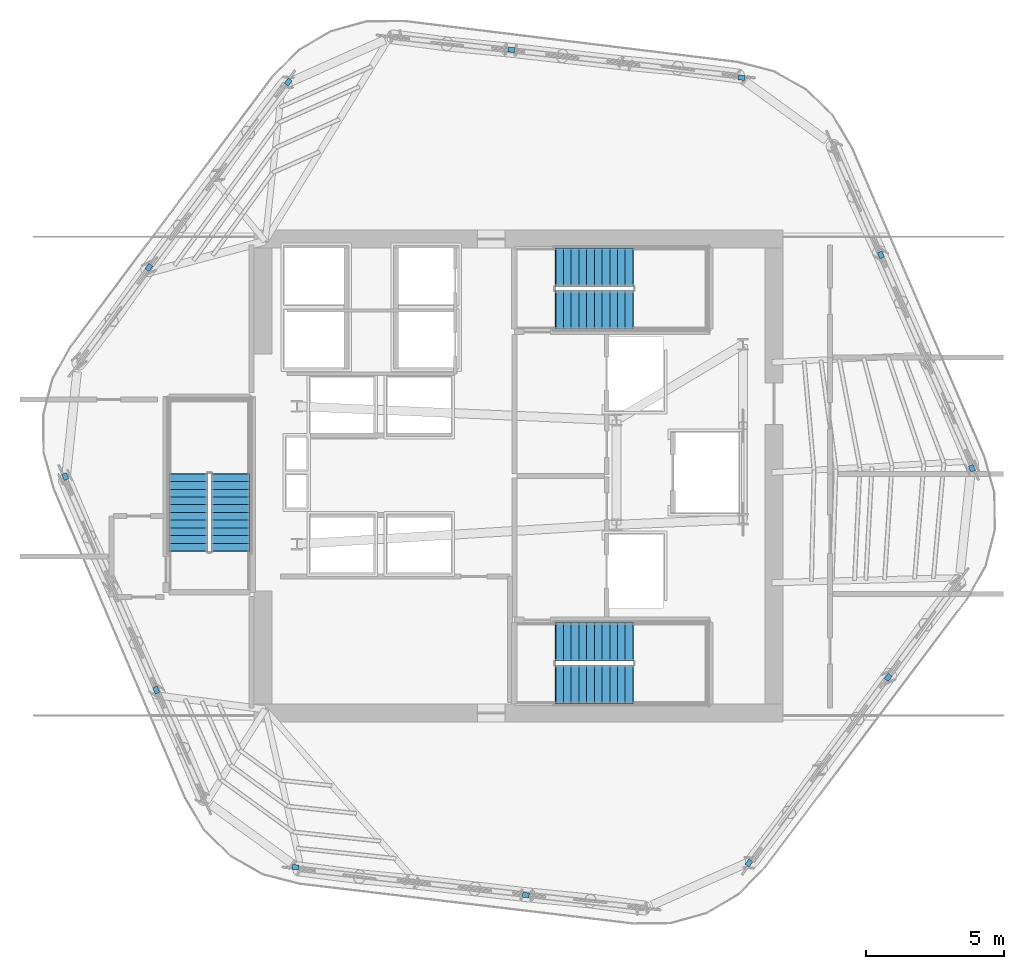
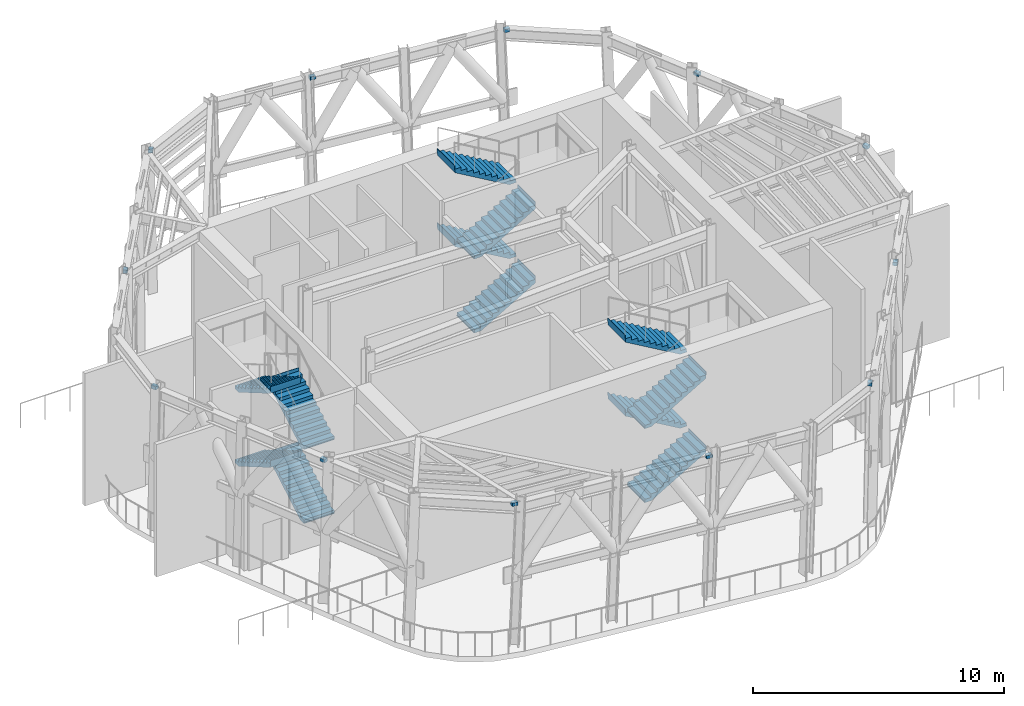
# One storey, part 6 of 10: 12 discrete accessories, 12 stair flights, 3 elements without a shape of their own.
"""IFC4 building model written with IfcOpenShell, lengths in metres."""

from ifc_helpers import new_model, si_unit, direction, frame, origin, origin_2d, place, context, subcontext, project, spatial, polyline, rectangle, outline, extrude, material, type_object, element, aggregate, save


model = new_model("IFC4")

# Units and contexts
model_context = context("Model", 3, precision=1e-05, world=origin(), true_north=direction((0.0, 1.0)))
body_context = subcontext(model_context, "Body", "Model", "MODEL_VIEW")
ifc_project = project(units=[si_unit("LENGTHUNIT", "METRE"), si_unit("AREAUNIT", "SQUARE_METRE"), si_unit("VOLUMEUNIT", "CUBIC_METRE"), si_unit("PLANEANGLEUNIT", "RADIAN"), si_unit("MASSUNIT", "GRAM", prefix="KILO")], contexts=[model_context])

# Site, building, storey
site_placement = place(None, origin())
site = spatial("IfcSite", under=ifc_project, at=site_placement, CompositionType="ELEMENT")
building_placement = place(site_placement, origin())
building = spatial("IfcBuilding", under=site, at=building_placement, Name="Valkerne Bourse Tower", CompositionType="ELEMENT")
storey_placement = place(building_placement, frame((0.0, 0.0, 251.199951171875)))
storey = spatial("IfcBuildingStorey", under=building, at=storey_placement, Name="L64", CompositionType="ELEMENT", Elevation=251.199951171875)

# Stair, stair flights
ifc_material_1 = material(Name="Concrete C40/50", Category="concrete")
stair_type = type_object("IfcStairType", Name="ST-CORE-1400", PredefinedType="HALF_TURN_STAIR", material=ifc_material_1)
stair_1_placement = place(storey_placement, origin())
stair_1 = element("IfcStair", 1, at=stair_1_placement, inside=storey, type_object=stair_type, Name="L64 ST-1", PredefinedType="HALF_TURN_STAIR")
stair_flight_type = type_object("IfcStairFlightType", Name="STF-CORE-1400", PredefinedType="STRAIGHT", material=ifc_material_1)
stair_flight_1_placement = place(storey_placement, frame((48.14990234375, 19.300048828125, 0.0), z_axis=(0.0, 0.0, 1.0), x_axis=(1.0, 0.0, 0.0)))
stair_flight_1 = element("IfcStairFlight", 2, at=stair_flight_1_placement, type_object=stair_flight_type, Name="ST-1 flight 1", NumberOfRisers=11, NumberOfTreads=10, PredefinedType="STRAIGHT", RiserHeight=0.163636364, TreadLength=0.28, context=body_context, shape_type="SweptSolid", body=[
    extrude(outline(polyline([(-0.02001953125, 0.0), (-0.02001953125, 0.044921875), (0.0, 0.044921875), (0.0, 0.16357421875), (0.280029296875, 0.16357421875), (0.280029296875, 0.327392578125), (0.56005859375, 0.327392578125), (0.56005859375, 0.490966796875), (0.840087890625, 0.490966796875), (0.840087890625, 0.654541015625), (1.1201171875, 0.654541015625), (1.1201171875, 0.818115234375), (1.39990234375, 0.818115234375), (1.39990234375, 0.98193359375), (1.679931640625, 0.98193359375), (1.679931640625, 1.1455078125), (1.9599609375, 1.1455078125), (1.9599609375, 1.30908203125), (2.239990234375, 1.30908203125), (2.239990234375, 1.47265625), (2.52001953125, 1.47265625), (2.52001953125, 1.636474609375), (2.800048828125, 1.636474609375), (2.800048828125, 1.800048828125), (2.820068359375, 1.800048828125), (2.820068359375, 1.679931640625), (2.800048828125, 1.462646484375), (0.297119140625, 0.0), (-0.02001953125, 0.0)])), frame((0.0, 0.699951171875, 0.0), z_axis=(0.0, -1.0, 0.0), x_axis=(1.0, 0.0, 0.0)), (0.0, 0.0, 1.0), 1.39990234375),
])
stair_flight_2_placement = place(storey_placement, frame((50.949951171875, 20.85009765625, 1.800048828125), z_axis=(0.0, 0.0, 1.0), x_axis=(-1.0, 0.0, 0.0)))
stair_flight_2 = element("IfcStairFlight", 3, at=stair_flight_2_placement, type_object=stair_flight_type, Name="ST-1 flight 2", NumberOfRisers=11, NumberOfTreads=10, PredefinedType="STRAIGHT", RiserHeight=0.163636364, TreadLength=0.28, context=body_context, shape_type="SweptSolid", body=[
    extrude(outline(polyline([(-0.02001953125, 0.0), (-0.02001953125, 0.044921875), (0.0, 0.044921875), (0.0, 0.16357421875), (0.280029296875, 0.16357421875), (0.280029296875, 0.327392578125), (0.56005859375, 0.327392578125), (0.56005859375, 0.490966796875), (0.840087890625, 0.490966796875), (0.840087890625, 0.654541015625), (1.1201171875, 0.654541015625), (1.1201171875, 0.818115234375), (1.39990234375, 0.818115234375), (1.39990234375, 0.98193359375), (1.679931640625, 0.98193359375), (1.679931640625, 1.1455078125), (1.9599609375, 1.1455078125), (1.9599609375, 1.30908203125), (2.239990234375, 1.30908203125), (2.239990234375, 1.47265625), (2.52001953125, 1.47265625), (2.52001953125, 1.636474609375), (2.800048828125, 1.636474609375), (2.800048828125, 1.800048828125), (2.820068359375, 1.800048828125), (2.820068359375, 1.679931640625), (2.800048828125, 1.462646484375), (0.297119140625, 0.0), (-0.02001953125, 0.0)])), frame((0.0, 0.699951171875, 0.0), z_axis=(0.0, -1.0, 0.0), x_axis=(1.0, 0.0, 0.0)), (0.0, 0.0, 1.0), 1.39990234375),
])
stair_flight_3_placement = place(storey_placement, frame((48.14990234375, 19.300048828125, 3.60009765625), z_axis=(0.0, 0.0, 1.0), x_axis=(1.0, 0.0, 0.0)))
stair_flight_3 = element("IfcStairFlight", 4, at=stair_flight_3_placement, type_object=stair_flight_type, Name="ST-1 flight 3", NumberOfRisers=11, NumberOfTreads=10, PredefinedType="STRAIGHT", RiserHeight=0.163636364, TreadLength=0.28, context=body_context, shape_type="SweptSolid", body=[
    extrude(outline(polyline([(-0.02001953125, 0.0), (-0.02001953125, 0.044921875), (0.0, 0.044921875), (0.0, 0.16357421875), (0.280029296875, 0.16357421875), (0.280029296875, 0.327392578125), (0.56005859375, 0.327392578125), (0.56005859375, 0.490966796875), (0.840087890625, 0.490966796875), (0.840087890625, 0.654541015625), (1.1201171875, 0.654541015625), (1.1201171875, 0.818115234375), (1.39990234375, 0.818115234375), (1.39990234375, 0.98193359375), (1.679931640625, 0.98193359375), (1.679931640625, 1.1455078125), (1.9599609375, 1.1455078125), (1.9599609375, 1.30908203125), (2.239990234375, 1.30908203125), (2.239990234375, 1.47265625), (2.52001953125, 1.47265625), (2.52001953125, 1.636474609375), (2.800048828125, 1.636474609375), (2.800048828125, 1.800048828125), (2.820068359375, 1.800048828125), (2.820068359375, 1.679931640625), (2.800048828125, 1.462646484375), (0.297119140625, 0.0), (-0.02001953125, 0.0)])), frame((0.0, 0.699951171875, 0.0), z_axis=(0.0, -1.0, 0.0), x_axis=(1.0, 0.0, 0.0)), (0.0, 0.0, 1.0), 1.39990234375),
])
stair_flight_4_placement = place(storey_placement, frame((50.949951171875, 20.85009765625, 5.400146484375), z_axis=(0.0, 0.0, 1.0), x_axis=(-1.0, 0.0, 0.0)))
stair_flight_4 = element("IfcStairFlight", 5, at=stair_flight_4_placement, type_object=stair_flight_type, Name="ST-1 flight 4", NumberOfRisers=11, NumberOfTreads=10, PredefinedType="STRAIGHT", RiserHeight=0.163636364, TreadLength=0.28, context=body_context, shape_type="SweptSolid", body=[
    extrude(outline(polyline([(-0.02001953125, 0.0), (-0.02001953125, 0.044921875), (0.0, 0.044921875), (0.0, 0.16357421875), (0.280029296875, 0.16357421875), (0.280029296875, 0.327392578125), (0.56005859375, 0.327392578125), (0.56005859375, 0.490966796875), (0.840087890625, 0.490966796875), (0.840087890625, 0.654541015625), (1.1201171875, 0.654541015625), (1.1201171875, 0.818115234375), (1.39990234375, 0.818115234375), (1.39990234375, 0.98193359375), (1.679931640625, 0.98193359375), (1.679931640625, 1.1455078125), (1.9599609375, 1.1455078125), (1.9599609375, 1.30908203125), (2.239990234375, 1.30908203125), (2.239990234375, 1.47265625), (2.52001953125, 1.47265625), (2.52001953125, 1.636474609375), (2.800048828125, 1.636474609375), (2.800048828125, 1.800048828125), (2.820068359375, 1.800048828125), (2.820068359375, 1.679931640625), (2.800048828125, 1.462646484375), (0.297119140625, 0.0), (-0.02001953125, 0.0)])), frame((0.0, 0.699951171875, 0.0), z_axis=(0.0, -1.0, 0.0), x_axis=(1.0, 0.0, 0.0)), (0.0, 0.0, 1.0), 1.39990234375),
])
aggregate(stair_1, [stair_flight_1, stair_flight_2, stair_flight_3, stair_flight_4])

stair_2_placement = place(storey_placement, origin())
stair_2 = element("IfcStair", 6, at=stair_2_placement, inside=storey, type_object=stair_type, Name="L64 ST-2", PredefinedType="HALF_TURN_STAIR")
stair_flight_5_placement = place(storey_placement, frame((48.14990234375, 32.89990234375, 0.0), z_axis=(0.0, 0.0, 1.0), x_axis=(1.0, 0.0, 0.0)))
stair_flight_5 = element("IfcStairFlight", 7, at=stair_flight_5_placement, type_object=stair_flight_type, Name="ST-2 flight 1", NumberOfRisers=11, NumberOfTreads=10, PredefinedType="STRAIGHT", RiserHeight=0.163636364, TreadLength=0.28, context=body_context, shape_type="SweptSolid", body=[
    extrude(outline(polyline([(-0.02001953125, 0.0), (-0.02001953125, 0.044921875), (0.0, 0.044921875), (0.0, 0.16357421875), (0.280029296875, 0.16357421875), (0.280029296875, 0.327392578125), (0.56005859375, 0.327392578125), (0.56005859375, 0.490966796875), (0.840087890625, 0.490966796875), (0.840087890625, 0.654541015625), (1.1201171875, 0.654541015625), (1.1201171875, 0.818115234375), (1.39990234375, 0.818115234375), (1.39990234375, 0.98193359375), (1.679931640625, 0.98193359375), (1.679931640625, 1.1455078125), (1.9599609375, 1.1455078125), (1.9599609375, 1.30908203125), (2.239990234375, 1.30908203125), (2.239990234375, 1.47265625), (2.52001953125, 1.47265625), (2.52001953125, 1.636474609375), (2.800048828125, 1.636474609375), (2.800048828125, 1.800048828125), (2.820068359375, 1.800048828125), (2.820068359375, 1.679931640625), (2.800048828125, 1.462646484375), (0.297119140625, 0.0), (-0.02001953125, 0.0)])), frame((0.0, 0.699951171875, 0.0), z_axis=(0.0, -1.0, 0.0), x_axis=(1.0, 0.0, 0.0)), (0.0, 0.0, 1.0), 1.39990234375),
])
stair_flight_6_placement = place(storey_placement, frame((50.949951171875, 34.449951171875, 1.800048828125), z_axis=(0.0, 0.0, 1.0), x_axis=(-1.0, 0.0, 0.0)))
stair_flight_6 = element("IfcStairFlight", 8, at=stair_flight_6_placement, type_object=stair_flight_type, Name="ST-2 flight 2", NumberOfRisers=11, NumberOfTreads=10, PredefinedType="STRAIGHT", RiserHeight=0.163636364, TreadLength=0.28, context=body_context, shape_type="SweptSolid", body=[
    extrude(outline(polyline([(-0.02001953125, 0.0), (-0.02001953125, 0.044921875), (0.0, 0.044921875), (0.0, 0.16357421875), (0.280029296875, 0.16357421875), (0.280029296875, 0.327392578125), (0.56005859375, 0.327392578125), (0.56005859375, 0.490966796875), (0.840087890625, 0.490966796875), (0.840087890625, 0.654541015625), (1.1201171875, 0.654541015625), (1.1201171875, 0.818115234375), (1.39990234375, 0.818115234375), (1.39990234375, 0.98193359375), (1.679931640625, 0.98193359375), (1.679931640625, 1.1455078125), (1.9599609375, 1.1455078125), (1.9599609375, 1.30908203125), (2.239990234375, 1.30908203125), (2.239990234375, 1.47265625), (2.52001953125, 1.47265625), (2.52001953125, 1.636474609375), (2.800048828125, 1.636474609375), (2.800048828125, 1.800048828125), (2.820068359375, 1.800048828125), (2.820068359375, 1.679931640625), (2.800048828125, 1.462646484375), (0.297119140625, 0.0), (-0.02001953125, 0.0)])), frame((0.0, 0.699951171875, 0.0), z_axis=(0.0, -1.0, 0.0), x_axis=(1.0, 0.0, 0.0)), (0.0, 0.0, 1.0), 1.39990234375),
])
stair_flight_7_placement = place(storey_placement, frame((48.14990234375, 32.89990234375, 3.60009765625), z_axis=(0.0, 0.0, 1.0), x_axis=(1.0, 0.0, 0.0)))
stair_flight_7 = element("IfcStairFlight", 9, at=stair_flight_7_placement, type_object=stair_flight_type, Name="ST-2 flight 3", NumberOfRisers=11, NumberOfTreads=10, PredefinedType="STRAIGHT", RiserHeight=0.163636364, TreadLength=0.28, context=body_context, shape_type="SweptSolid", body=[
    extrude(outline(polyline([(-0.02001953125, 0.0), (-0.02001953125, 0.044921875), (0.0, 0.044921875), (0.0, 0.16357421875), (0.280029296875, 0.16357421875), (0.280029296875, 0.327392578125), (0.56005859375, 0.327392578125), (0.56005859375, 0.490966796875), (0.840087890625, 0.490966796875), (0.840087890625, 0.654541015625), (1.1201171875, 0.654541015625), (1.1201171875, 0.818115234375), (1.39990234375, 0.818115234375), (1.39990234375, 0.98193359375), (1.679931640625, 0.98193359375), (1.679931640625, 1.1455078125), (1.9599609375, 1.1455078125), (1.9599609375, 1.30908203125), (2.239990234375, 1.30908203125), (2.239990234375, 1.47265625), (2.52001953125, 1.47265625), (2.52001953125, 1.636474609375), (2.800048828125, 1.636474609375), (2.800048828125, 1.800048828125), (2.820068359375, 1.800048828125), (2.820068359375, 1.679931640625), (2.800048828125, 1.462646484375), (0.297119140625, 0.0), (-0.02001953125, 0.0)])), frame((0.0, 0.699951171875, 0.0), z_axis=(0.0, -1.0, 0.0), x_axis=(1.0, 0.0, 0.0)), (0.0, 0.0, 1.0), 1.39990234375),
])
stair_flight_8_placement = place(storey_placement, frame((50.949951171875, 34.449951171875, 5.400146484375), z_axis=(0.0, 0.0, 1.0), x_axis=(-1.0, 0.0, 0.0)))
stair_flight_8 = element("IfcStairFlight", 10, at=stair_flight_8_placement, type_object=stair_flight_type, Name="ST-2 flight 4", NumberOfRisers=11, NumberOfTreads=10, PredefinedType="STRAIGHT", RiserHeight=0.163636364, TreadLength=0.28, context=body_context, shape_type="SweptSolid", body=[
    extrude(outline(polyline([(-0.02001953125, 0.0), (-0.02001953125, 0.044921875), (0.0, 0.044921875), (0.0, 0.16357421875), (0.280029296875, 0.16357421875), (0.280029296875, 0.327392578125), (0.56005859375, 0.327392578125), (0.56005859375, 0.490966796875), (0.840087890625, 0.490966796875), (0.840087890625, 0.654541015625), (1.1201171875, 0.654541015625), (1.1201171875, 0.818115234375), (1.39990234375, 0.818115234375), (1.39990234375, 0.98193359375), (1.679931640625, 0.98193359375), (1.679931640625, 1.1455078125), (1.9599609375, 1.1455078125), (1.9599609375, 1.30908203125), (2.239990234375, 1.30908203125), (2.239990234375, 1.47265625), (2.52001953125, 1.47265625), (2.52001953125, 1.636474609375), (2.800048828125, 1.636474609375), (2.800048828125, 1.800048828125), (2.820068359375, 1.800048828125), (2.820068359375, 1.679931640625), (2.800048828125, 1.462646484375), (0.297119140625, 0.0), (-0.02001953125, 0.0)])), frame((0.0, 0.699951171875, 0.0), z_axis=(0.0, -1.0, 0.0), x_axis=(1.0, 0.0, 0.0)), (0.0, 0.0, 1.0), 1.39990234375),
])
aggregate(stair_2, [stair_flight_5, stair_flight_6, stair_flight_7, stair_flight_8])

stair_3_placement = place(storey_placement, origin())
stair_3 = element("IfcStair", 11, at=stair_3_placement, inside=storey, type_object=stair_type, Name="L64 ST-3", PredefinedType="HALF_TURN_STAIR")
stair_flight_9_placement = place(storey_placement, frame((36.35009765625, 24.14990234375, 0.0), z_axis=(0.0, 0.0, 1.0), x_axis=(0.0, 1.0, 0.0)))
stair_flight_9 = element("IfcStairFlight", 12, at=stair_flight_9_placement, type_object=stair_flight_type, Name="ST-3 flight 1", NumberOfRisers=11, NumberOfTreads=10, PredefinedType="STRAIGHT", RiserHeight=0.163636364, TreadLength=0.28, context=body_context, shape_type="SweptSolid", body=[
    extrude(outline(polyline([(-0.02001953125, 0.0), (-0.02001953125, 0.044921875), (0.0, 0.044921875), (0.0, 0.16357421875), (0.280029296875, 0.16357421875), (0.280029296875, 0.327392578125), (0.56005859375, 0.327392578125), (0.56005859375, 0.490966796875), (0.840087890625, 0.490966796875), (0.840087890625, 0.654541015625), (1.1201171875, 0.654541015625), (1.1201171875, 0.818115234375), (1.39990234375, 0.818115234375), (1.39990234375, 0.98193359375), (1.679931640625, 0.98193359375), (1.679931640625, 1.1455078125), (1.9599609375, 1.1455078125), (1.9599609375, 1.30908203125), (2.239990234375, 1.30908203125), (2.239990234375, 1.47265625), (2.52001953125, 1.47265625), (2.52001953125, 1.636474609375), (2.800048828125, 1.636474609375), (2.800048828125, 1.800048828125), (2.820068359375, 1.800048828125), (2.820068359375, 1.679931640625), (2.800048828125, 1.462646484375), (0.297119140625, 0.0), (-0.02001953125, 0.0)])), frame((0.0, 0.699951171875, 0.0), z_axis=(0.0, -1.0, 0.0), x_axis=(1.0, 0.0, 0.0)), (0.0, 0.0, 1.0), 1.39990234375),
])
stair_flight_10_placement = place(storey_placement, frame((34.800048828125, 26.949951171875, 1.800048828125), z_axis=(0.0, 0.0, 1.0), x_axis=(0.0, -1.0, 0.0)))
stair_flight_10 = element("IfcStairFlight", 13, at=stair_flight_10_placement, type_object=stair_flight_type, Name="ST-3 flight 2", NumberOfRisers=11, NumberOfTreads=10, PredefinedType="STRAIGHT", RiserHeight=0.163636364, TreadLength=0.28, context=body_context, shape_type="SweptSolid", body=[
    extrude(outline(polyline([(-0.02001953125, 0.0), (-0.02001953125, 0.044921875), (0.0, 0.044921875), (0.0, 0.16357421875), (0.280029296875, 0.16357421875), (0.280029296875, 0.327392578125), (0.56005859375, 0.327392578125), (0.56005859375, 0.490966796875), (0.840087890625, 0.490966796875), (0.840087890625, 0.654541015625), (1.1201171875, 0.654541015625), (1.1201171875, 0.818115234375), (1.39990234375, 0.818115234375), (1.39990234375, 0.98193359375), (1.679931640625, 0.98193359375), (1.679931640625, 1.1455078125), (1.9599609375, 1.1455078125), (1.9599609375, 1.30908203125), (2.239990234375, 1.30908203125), (2.239990234375, 1.47265625), (2.52001953125, 1.47265625), (2.52001953125, 1.636474609375), (2.800048828125, 1.636474609375), (2.800048828125, 1.800048828125), (2.820068359375, 1.800048828125), (2.820068359375, 1.679931640625), (2.800048828125, 1.462646484375), (0.297119140625, 0.0), (-0.02001953125, 0.0)])), frame((0.0, 0.699951171875, 0.0), z_axis=(0.0, -1.0, 0.0), x_axis=(1.0, 0.0, 0.0)), (0.0, 0.0, 1.0), 1.39990234375),
])
stair_flight_11_placement = place(storey_placement, frame((36.35009765625, 24.14990234375, 3.60009765625), z_axis=(0.0, 0.0, 1.0), x_axis=(0.0, 1.0, 0.0)))
stair_flight_11 = element("IfcStairFlight", 14, at=stair_flight_11_placement, type_object=stair_flight_type, Name="ST-3 flight 3", NumberOfRisers=11, NumberOfTreads=10, PredefinedType="STRAIGHT", RiserHeight=0.163636364, TreadLength=0.28, context=body_context, shape_type="SweptSolid", body=[
    extrude(outline(polyline([(-0.02001953125, 0.0), (-0.02001953125, 0.044921875), (0.0, 0.044921875), (0.0, 0.16357421875), (0.280029296875, 0.16357421875), (0.280029296875, 0.327392578125), (0.56005859375, 0.327392578125), (0.56005859375, 0.490966796875), (0.840087890625, 0.490966796875), (0.840087890625, 0.654541015625), (1.1201171875, 0.654541015625), (1.1201171875, 0.818115234375), (1.39990234375, 0.818115234375), (1.39990234375, 0.98193359375), (1.679931640625, 0.98193359375), (1.679931640625, 1.1455078125), (1.9599609375, 1.1455078125), (1.9599609375, 1.30908203125), (2.239990234375, 1.30908203125), (2.239990234375, 1.47265625), (2.52001953125, 1.47265625), (2.52001953125, 1.636474609375), (2.800048828125, 1.636474609375), (2.800048828125, 1.800048828125), (2.820068359375, 1.800048828125), (2.820068359375, 1.679931640625), (2.800048828125, 1.462646484375), (0.297119140625, 0.0), (-0.02001953125, 0.0)])), frame((0.0, 0.699951171875, 0.0), z_axis=(0.0, -1.0, 0.0), x_axis=(1.0, 0.0, 0.0)), (0.0, 0.0, 1.0), 1.39990234375),
])
stair_flight_12_placement = place(storey_placement, frame((34.800048828125, 26.949951171875, 5.400146484375), z_axis=(0.0, 0.0, 1.0), x_axis=(0.0, -1.0, 0.0)))
stair_flight_12 = element("IfcStairFlight", 15, at=stair_flight_12_placement, type_object=stair_flight_type, Name="ST-3 flight 4", NumberOfRisers=11, NumberOfTreads=10, PredefinedType="STRAIGHT", RiserHeight=0.163636364, TreadLength=0.28, context=body_context, shape_type="SweptSolid", body=[
    extrude(outline(polyline([(-0.02001953125, 0.0), (-0.02001953125, 0.044921875), (0.0, 0.044921875), (0.0, 0.16357421875), (0.280029296875, 0.16357421875), (0.280029296875, 0.327392578125), (0.56005859375, 0.327392578125), (0.56005859375, 0.490966796875), (0.840087890625, 0.490966796875), (0.840087890625, 0.654541015625), (1.1201171875, 0.654541015625), (1.1201171875, 0.818115234375), (1.39990234375, 0.818115234375), (1.39990234375, 0.98193359375), (1.679931640625, 0.98193359375), (1.679931640625, 1.1455078125), (1.9599609375, 1.1455078125), (1.9599609375, 1.30908203125), (2.239990234375, 1.30908203125), (2.239990234375, 1.47265625), (2.52001953125, 1.47265625), (2.52001953125, 1.636474609375), (2.800048828125, 1.636474609375), (2.800048828125, 1.800048828125), (2.820068359375, 1.800048828125), (2.820068359375, 1.679931640625), (2.800048828125, 1.462646484375), (0.297119140625, 0.0), (-0.02001953125, 0.0)])), frame((0.0, 0.699951171875, 0.0), z_axis=(0.0, -1.0, 0.0), x_axis=(1.0, 0.0, 0.0)), (0.0, 0.0, 1.0), 1.39990234375),
])
aggregate(stair_3, [stair_flight_9, stair_flight_10, stair_flight_11, stair_flight_12])

# Discrete accessories
ifc_material_2 = material(Name="Stainless Steel AISI 316", Category="steel")
discrete_accessory_type = type_object("IfcDiscreteAccessoryType", Name="ACC-FIN-BRACKET", PredefinedType="BRACKET", material=ifc_material_2)
for number, where, z_axis, x_axis, name in (
    (16, (54.898193359375, 41.32958984375, 6.80029296875), (0.0, 0.0, 1.0), (-0.992757341929, 0.120136838835, 0.0), "L64 Wind Portal Fin Header Bracket 01"),
    (17, (46.53515625, 42.341796875, 6.80029296875), (0.0, 0.0, 1.0), (-0.992757341929, 0.120136838835, 0.0), "L64 Wind Portal Fin Header Bracket 02"),
    (18, (38.439208984375, 41.177978515625, 6.80029296875), (0.0, 0.0, 1.0), (-0.600420225326, -0.799684658487, 0.0), "L64 Wind Portal Fin Header Bracket 03"),
    (19, (33.38134765625, 34.44140625, 6.80029296875), (0.0, 0.0, 1.0), (-0.600420225326, -0.799684658487, 0.0), "L64 Wind Portal Fin Header Bracket 04"),
    (20, (30.341064453125, 26.848388671875, 6.80029296875), (0.0, 0.0, 1.0), (0.392337116604, -0.919821497322, 0.0), "L64 Wind Portal Fin Header Bracket 05"),
    (21, (33.64599609375, 19.099853515625, 6.80029296875), (0.0, 0.0, 1.0), (0.392337116604, -0.919821497322, 0.0), "L64 Wind Portal Fin Header Bracket 06"),
    (22, (38.701904296875, 12.67041015625, 6.80029296875), (0.0, 0.0, 1.0), (0.992757341929, -0.120136838835, 0.0), "L64 Wind Portal Fin Header Bracket 07"),
    (23, (47.064697265625, 11.658203125, 6.80029296875), (0.0, 0.0, 1.0), (0.992757341929, -0.120136838835, 0.0), "L64 Wind Portal Fin Header Bracket 08"),
    (24, (55.16064453125, 12.822021484375, 6.80029296875), (0.0, 0.0, 1.0), (0.600420225326, 0.799684658487, 0.0), "L64 Wind Portal Fin Header Bracket 09"),
    (25, (60.21875, 19.55859375, 6.80029296875), (0.0, 0.0, 1.0), (0.600420225326, 0.799684658487, 0.0), "L64 Wind Portal Fin Header Bracket 10"),
    (26, (63.2587890625, 27.151611328125, 6.80029296875), (0.0, 0.0, 1.0), (-0.392337116604, 0.919821497322, 0.0), "L64 Wind Portal Fin Header Bracket 11"),
    (27, (59.953857421875, 34.900146484375, 6.80029296875), (0.0, 0.0, 1.0), (-0.392337116604, 0.919821497322, 0.0), "L64 Wind Portal Fin Header Bracket 12"),
):
    element("IfcDiscreteAccessory", number, at=place(storey_placement, frame(where, z_axis=z_axis, x_axis=x_axis)), inside=storey, type_object=discrete_accessory_type, Name=name, PredefinedType="BRACKET", context=body_context, shape_type="SweptSolid", body=[
        extrude(rectangle(XDim=0.239990234375, YDim=0.179931640625, at=origin_2d()), origin(), (0.0, 0.0, 1.0), 0.159912109375),
    ])

save(model, "model.ifc")
